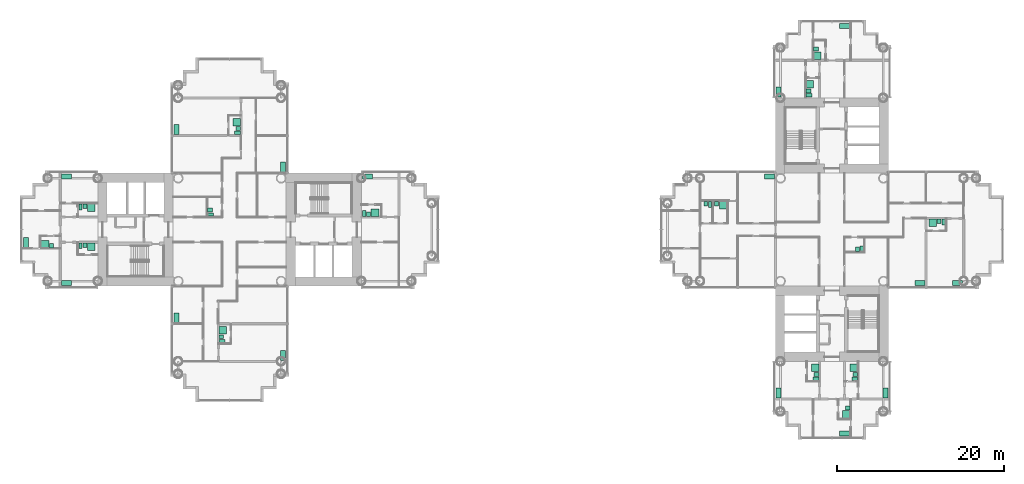
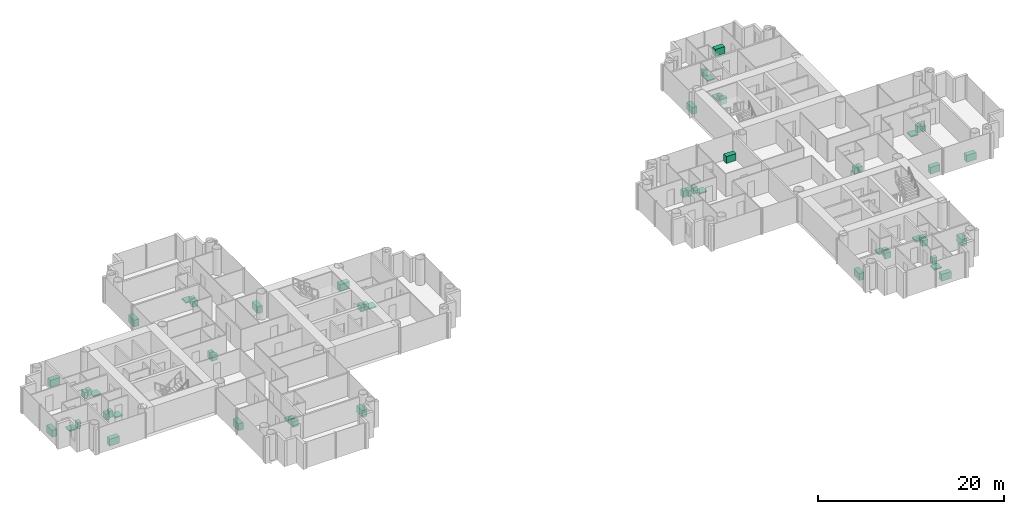
# One storey, part 22 of 22: 57 sanitary terminals.
"""IFC4 building model written with IfcOpenShell, lengths in metres."""

from ifc_helpers import new_model, si_unit, direction, frame, origin, origin_2d, place, context, subcontext, project, spatial, rectangle, extrude, material, type_object, element, save


model = new_model("IFC4")

# Units and contexts
model_context = context("Model", 3, precision=1e-05, world=origin(), true_north=direction((0.0, 1.0)))
body_context = subcontext(model_context, "Body", "Model", "MODEL_VIEW")
ifc_project = project(units=[si_unit("LENGTHUNIT", "METRE"), si_unit("AREAUNIT", "SQUARE_METRE"), si_unit("VOLUMEUNIT", "CUBIC_METRE"), si_unit("PLANEANGLEUNIT", "RADIAN"), si_unit("MASSUNIT", "GRAM", prefix="KILO")], contexts=[model_context])

# Site, building, storey
site_placement = place(None, origin())
site = spatial("IfcSite", under=ifc_project, at=site_placement, CompositionType="ELEMENT")
building_placement = place(site_placement, origin())
building = spatial("IfcBuilding", under=site, at=building_placement, Name="Ipe Terrace Towers", CompositionType="ELEMENT")
storey_placement = place(building_placement, frame((0.0, 0.0, 61.89990234375)))
storey = spatial("IfcBuildingStorey", under=building, at=storey_placement, Name="L16", CompositionType="ELEMENT", Elevation=61.89990234375)

# Sanitary terminals
ifc_material_1 = material(Name="Stainless sink unit", Category="metal")
sanitary_terminal_type_1 = type_object("IfcSanitaryTerminalType", Name="Kitchen sink unit", PredefinedType="SINK", material=ifc_material_1)
for number, where, z_axis, x_axis, name in (
    (1, (-42.3798828125, 11.969970703125, 0.000244140625), (0.0, 0.0, 1.0), (0.0, 1.0, 0.0), "Kitchen sink unit"),
    (2, (-29.6201171875, 7.469970703125, 0.000244140625), (0.0, 0.0, 1.0), (0.0, -1.0, 0.0), "Kitchen sink unit"),
    (3, (-29.6201171875, -15.030029296875, 0.000244140625), (0.0, 0.0, 1.0), (0.0, -1.0, 0.0), "Kitchen sink unit"),
    (4, (-42.3798828125, -10.530029296875, 0.000244140625), (0.0, 0.0, 1.0), (0.0, 1.0, 0.0), "Kitchen sink unit"),
    (5, (-19.530029296875, 6.3798828125, 0.000244140625), (0.0, 0.0, 1.0), (1.0, 0.0, 0.0), "Kitchen sink unit"),
    (6, (-55.530029296875, -6.3798828125, 0.000244140625), (0.0, 0.0, 1.0), (-1.0, 0.0, 0.0), "Kitchen sink unit"),
    (7, (-55.530029296875, 6.3798828125, 0.000244140625), (0.0, 0.0, 1.0), (1.0, 0.0, 0.0), "Kitchen sink unit"),
    (8, (-60.3798828125, -1.530029296875, 0.000244140625), (0.0, 0.0, 1.0), (0.0, 1.0, 0.0), "Kitchen sink unit"),
    (9, (28.530029296875, 6.3798828125, 0.000244140625), (0.0, 0.0, 1.0), (1.0, 0.0, 0.0), "Kitchen sink unit"),
    (10, (46.530029296875, -6.3798828125, 0.000244140625), (0.0, 0.0, 1.0), (-1.0, 0.0, 0.0), "Kitchen sink unit"),
    (11, (51.030029296875, -6.3798828125, 0.000244140625), (0.0, 0.0, 1.0), (-1.0, 0.0, 0.0), "Kitchen sink unit"),
    (12, (29.6201171875, 16.469970703125, 0.000244140625), (0.0, 0.0, 1.0), (0.0, 1.0, 0.0), "Kitchen sink unit"),
    (13, (37.530029296875, 24.3798828125, 0.000244140625), (0.0, 0.0, 1.0), (1.0, 0.0, 0.0), "Kitchen sink unit"),
    (14, (42.3798828125, -19.530029296875, 0.000244140625), (0.0, 0.0, 1.0), (0.0, -1.0, 0.0), "Kitchen sink unit"),
    (15, (29.6201171875, -19.530029296875, 0.000244140625), (0.0, 0.0, 1.0), (0.0, 1.0, 0.0), "Kitchen sink unit"),
    (16, (37.530029296875, -24.3798828125, 0.000244140625), (0.0, 0.0, 1.0), (-1.0, 0.0, 0.0), "Kitchen sink unit"),
):
    element("IfcSanitaryTerminal", number, at=place(storey_placement, frame(where, z_axis=z_axis, x_axis=x_axis)), inside=storey, type_object=sanitary_terminal_type_1, Name=name, PredefinedType="SINK", context=body_context, shape_type="SweptSolid", body=[
        extrude(rectangle(XDim=1.199951171875, YDim=0.60009765625, at=origin_2d()), origin(), (0.0, 0.0, 1.0), 0.89990234375),
    ])
ifc_material_2 = material(Name="Acrylic", Category="plastic")
sanitary_terminal_type_2 = type_object("IfcSanitaryTerminalType", Name="Shower tray", PredefinedType="SHOWER", material=ifc_material_2)
for number, where, z_axis, x_axis, name in (
    (17, (-35.169921875, 12.8701171875, 0.000244140625), (0.0, 0.0, 1.0), (-1.0, 0.0, 0.0), "Shower tray"),
    (18, (-36.830078125, -12.030029296875, 0.000244140625), (0.0, 0.0, 1.0), (1.0, 0.0, 0.0), "Shower tray"),
    (19, (-18.6298828125, 2.02001953125, 0.000244140625), (0.0, 0.0, 1.0), (0.0, 1.0, 0.0), "Shower tray"),
    (20, (-52.530029296875, -2.02001953125, 0.000244140625), (0.0, 0.0, 1.0), (0.0, -1.0, 0.0), "Shower tray"),
    (21, (-52.530029296875, 2.6298828125, 0.000244140625), (0.0, 0.0, 1.0), (0.0, -1.0, 0.0), "Shower tray"),
    (22, (-58.080078125, -1.72998046875, 0.000244140625), (0.0, 0.0, 1.0), (0.0, 1.0, 0.0), "Shower tray"),
    (23, (22.97998046875, 2.929931640625, 0.000244140625), (0.0, 0.0, 1.0), (0.0, -1.0, 0.0), "Shower tray"),
    (24, (48.030029296875, 0.830078125, 0.000244140625), (0.0, 0.0, 1.0), (0.0, -1.0, 0.0), "Shower tray"),
    (25, (33.3701171875, 17.3701171875, 0.000244140625), (0.0, 0.0, 1.0), (1.0, 0.0, 0.0), "Shower tray"),
    (26, (34.27001953125, 20.820068359375, 0.000244140625), (0.0, 0.0, 1.0), (1.0, 0.0, 0.0), "Shower tray"),
    (27, (38.6298828125, -16.530029296875, 0.000244140625), (0.0, 0.0, 1.0), (-1.0, 0.0, 0.0), "Shower tray"),
    (28, (33.97998046875, -16.530029296875, 0.000244140625), (0.0, 0.0, 1.0), (-1.0, 0.0, 0.0), "Shower tray"),
    (29, (37.72998046875, -22.080078125, 0.000244140625), (0.0, 0.0, 1.0), (-1.0, 0.0, 0.0), "Shower tray"),
):
    element("IfcSanitaryTerminal", number, at=place(storey_placement, frame(where, z_axis=z_axis, x_axis=x_axis)), inside=storey, type_object=sanitary_terminal_type_2, Name=name, PredefinedType="SHOWER", context=body_context, shape_type="SweptSolid", body=[
        extrude(rectangle(XDim=0.89990234375, YDim=0.89990234375, at=origin_2d()), origin(), (0.0, 0.0, 1.0), 0.14990234375),
    ])
ifc_material_3 = material(Name="Vitreous china", Category="ceramic")
sanitary_terminal_type_3 = type_object("IfcSanitaryTerminalType", Name="Wash basin", PredefinedType="WASHHANDBASIN", material=ifc_material_3)
for number, where, z_axis, x_axis, name in (
    (30, (-38.35498046875, 2.344970703125, 0.0), (0.0, 0.0, 1.0), (1.0, 0.0, 0.0), "Wash basin"),
    (31, (-34.9951171875, 12.094970703125, 0.0), (0.0, 0.0, 1.0), (-1.0, 0.0, 0.0), "Wash basin"),
    (32, (-37.0048828125, -12.804931640625, 0.0), (0.0, 0.0, 1.0), (1.0, 0.0, 0.0), "Wash basin"),
    (33, (-19.405029296875, 1.844970703125, 0.0), (0.0, 0.0, 1.0), (0.0, 1.0, 0.0), "Wash basin"),
    (34, (-53.304931640625, -1.844970703125, 0.0), (0.0, 0.0, 1.0), (0.0, -1.0, 0.0), "Wash basin"),
    (35, (-53.304931640625, 2.804931640625, 0.0), (0.0, 0.0, 1.0), (0.0, -1.0, 0.0), "Wash basin"),
    (36, (-57.304931640625, -1.905029296875, 0.0), (0.0, 0.0, 1.0), (0.0, 1.0, 0.0), "Wash basin"),
    (37, (39.054931640625, -2.35498046875, 0.0), (0.0, 0.0, 1.0), (0.0, 1.0, 0.0), "Wash basin"),
    (38, (22.205078125, 3.10498046875, 0.0), (0.0, 0.0, 1.0), (0.0, -1.0, 0.0), "Wash basin"),
    (39, (20.905029296875, 3.10498046875, 0.0), (0.0, 0.0, 1.0), (0.0, -1.0, 0.0), "Wash basin"),
    (40, (48.804931640625, 1.0048828125, 0.0), (0.0, 0.0, 1.0), (0.0, -1.0, 0.0), "Wash basin"),
    (41, (33.195068359375, 16.594970703125, 0.0), (0.0, 0.0, 1.0), (1.0, 0.0, 0.0), "Wash basin"),
    (42, (34.094970703125, 21.594970703125, 0.0), (0.0, 0.0, 1.0), (1.0, 0.0, 0.0), "Wash basin"),
    (43, (38.804931640625, -17.304931640625, 0.0), (0.0, 0.0, 1.0), (-1.0, 0.0, 0.0), "Wash basin"),
    (44, (34.155029296875, -17.304931640625, 0.0), (0.0, 0.0, 1.0), (-1.0, 0.0, 0.0), "Wash basin"),
    (45, (37.905029296875, -21.304931640625, 0.0), (0.0, 0.0, 1.0), (-1.0, 0.0, 0.0), "Wash basin"),
):
    element("IfcSanitaryTerminal", number, at=place(storey_placement, frame(where, z_axis=z_axis, x_axis=x_axis)), inside=storey, type_object=sanitary_terminal_type_3, Name=name, PredefinedType="WASHHANDBASIN", context=body_context, shape_type="SweptSolid", body=[
        extrude(rectangle(XDim=0.550048828125, YDim=0.449951171875, at=origin_2d()), origin(), (0.0, 0.0, 1.0), 0.85009765625),
    ])
ifc_material_4 = material(Name="Vitreous china", Category="ceramic")
sanitary_terminal_type_4 = type_object("IfcSanitaryTerminalType", Name="Water closet", PredefinedType="TOILETPAN", material=ifc_material_4)
for number, where, z_axis, x_axis, name in (
    (46, (-38.280029296875, 1.820068359375, 0.0), (0.0, 0.0, 1.0), (1.0, 0.0, 0.0), "Water closet"),
    (47, (-35.070068359375, 11.570068359375, 0.0), (0.0, 0.0, 1.0), (-1.0, 0.0, 0.0), "Water closet"),
    (48, (-36.929931640625, -13.330078125, 0.0), (0.0, 0.0, 1.0), (1.0, 0.0, 0.0), "Water closet"),
    (49, (-19.929931640625, 1.919921875, 0.0), (0.0, 0.0, 1.0), (0.0, 1.0, 0.0), "Water closet"),
    (50, (-53.830078125, -1.919921875, 0.0), (0.0, 0.0, 1.0), (0.0, -1.0, 0.0), "Water closet"),
    (51, (-53.830078125, 2.72998046875, 0.0), (0.0, 0.0, 1.0), (0.0, -1.0, 0.0), "Water closet"),
    (52, (39.580078125, -2.280029296875, 0.0), (0.0, 0.0, 1.0), (0.0, 1.0, 0.0), "Water closet"),
    (53, (21.429931640625, 3.030029296875, 0.0), (0.0, 0.0, 1.0), (0.0, -1.0, 0.0), "Water closet"),
    (54, (49.330078125, 0.929931640625, 0.0), (0.0, 0.0, 1.0), (0.0, -1.0, 0.0), "Water closet"),
    (55, (33.27001953125, 16.070068359375, 0.0), (0.0, 0.0, 1.0), (1.0, 0.0, 0.0), "Water closet"),
    (56, (38.72998046875, -17.830078125, 0.0), (0.0, 0.0, 1.0), (-1.0, 0.0, 0.0), "Water closet"),
    (57, (34.080078125, -17.830078125, 0.0), (0.0, 0.0, 1.0), (-1.0, 0.0, 0.0), "Water closet"),
):
    element("IfcSanitaryTerminal", number, at=place(storey_placement, frame(where, z_axis=z_axis, x_axis=x_axis)), inside=storey, type_object=sanitary_terminal_type_4, Name=name, PredefinedType="TOILETPAN", context=body_context, shape_type="SweptSolid", body=[
        extrude(rectangle(XDim=0.699951171875, YDim=0.39990234375, at=origin_2d()), origin(), (0.0, 0.0, 1.0), 0.780029296875),
    ])

save(model, "model.ifc")
